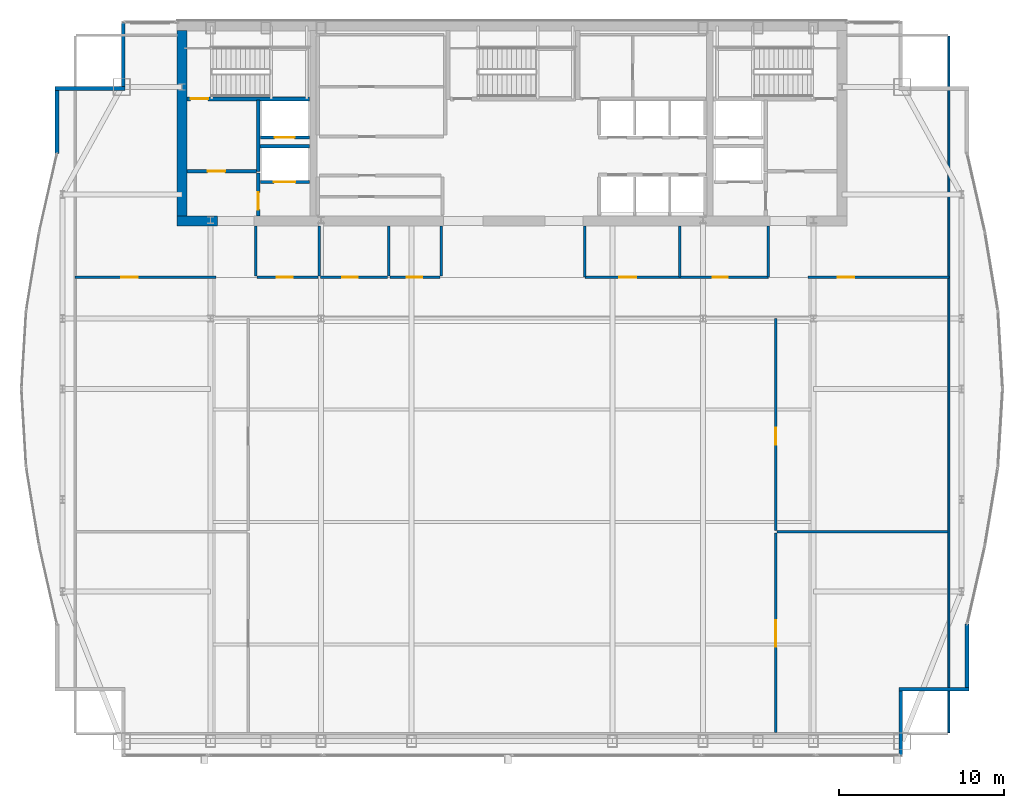
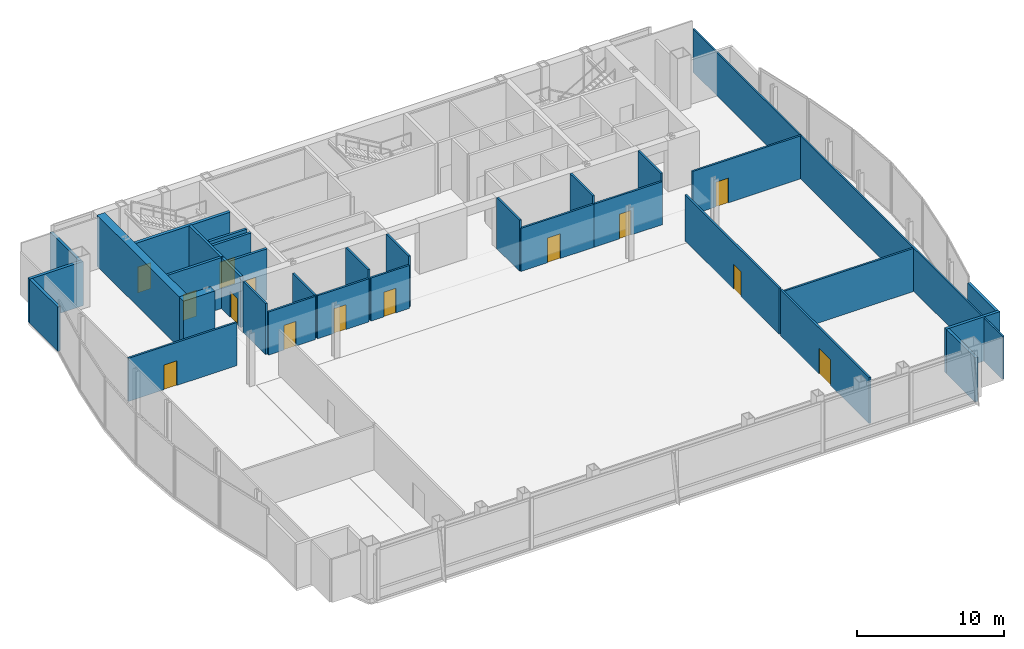
# One storey, part 24 of 28: 33 walls, 14 doors, 14 openings.
"""IFC4 building model written with IfcOpenShell, lengths in metres."""

from ifc_helpers import new_model, si_unit, direction, frame, frame_2d, origin, place, context, subcontext, project, spatial, rectangle, extrude, material, layer, layer_set, type_object, element, fill, save


model = new_model("IFC4")

# Units and contexts
model_context = context("Model", 3, precision=1e-05, world=origin(), true_north=direction((0.0, 1.0)))
body_context = subcontext(model_context, "Body", "Model", "MODEL_VIEW")
ifc_project = project(units=[si_unit("LENGTHUNIT", "METRE"), si_unit("AREAUNIT", "SQUARE_METRE"), si_unit("VOLUMEUNIT", "CUBIC_METRE"), si_unit("PLANEANGLEUNIT", "RADIAN"), si_unit("MASSUNIT", "GRAM", prefix="KILO")], contexts=[model_context])

# Site, building, storey
site_placement = place(None, origin())
site = spatial("IfcSite", under=ifc_project, at=site_placement, CompositionType="ELEMENT")
building_placement = place(site_placement, origin())
building = spatial("IfcBuilding", under=site, at=building_placement, Name="Khoronbel Lancet Exchange", CompositionType="ELEMENT")
storey_placement = place(building_placement, frame((0.0, 0.0, 265.39990234375)))
storey = spatial("IfcBuildingStorey", under=building, at=storey_placement, Name="L68", CompositionType="ELEMENT", Elevation=265.39990234375)

# Walls
ifc_material_1 = material(Name="Concrete C60/75", Category="concrete")
ifc_layer_1 = layer(ifc_material_1, 0.60009765625, Name="Concrete C60/75")
ifc_layer_set_1 = layer_set([ifc_layer_1], Name="Concrete C60/75")
wall_type_1 = type_object("IfcWallType", Name="WL-CW3", PredefinedType="SHEAR", material=ifc_layer_set_1)
wall_1_placement = place(storey_placement, frame((16.5, 41.89990234375, 0.0), z_axis=(0.0, 0.0, 1.0), x_axis=(0.0, 1.0, 0.0)))
element("IfcWall", 1, at=wall_1_placement, inside=storey, type_object=wall_type_1, Name="Level L68 rear core west shear wall", PredefinedType="SHEAR", context=body_context, shape_type="SweptSolid", body=[
    extrude(rectangle(XDim=11.2001953125, YDim=0.60009765625, at=frame_2d((5.60009765625, 0.0))), origin(), (0.0, 0.0, 1.0), 4.239990234375),
])
wall_2_placement = place(storey_placement, frame((18.64990234375, 41.60009765625, 0.0), z_axis=(0.0, 0.0, 1.0), x_axis=(-1.0, 0.0, 0.0)))
element("IfcWall", 2, at=wall_2_placement, inside=storey, type_object=wall_type_1, Name="Level L68 rear core south shear wall pier P1", PredefinedType="SHEAR", context=body_context, shape_type="SweptSolid", body=[
    extrude(rectangle(XDim=2.449951171875, YDim=0.60009765625, at=frame_2d((1.22509765625, 0.0))), origin(), (0.0, 0.0, 1.0), 4.239990234375),
])
ifc_material_2 = material(Name="Precast concrete C40/50", Category="concrete")
ifc_layer_2 = layer(ifc_material_2, 0.25, Name="Precast concrete C40/50")
ifc_layer_set_2 = layer_set([ifc_layer_2], Name="Precast concrete C40/50")
wall_type_2 = type_object("IfcWallType", Name="WL-EXT250", PredefinedType="SOLIDWALL", material=ifc_layer_set_2)
wall_3_placement = place(storey_placement, frame((8.93994140625, 45.669921875, 0.0), z_axis=(0.0, 0.0, 1.0), x_axis=(0.0, 1.0, 0.0)))
element("IfcWall", 3, at=wall_3_placement, inside=storey, type_object=wall_type_2, Name="Level L68 notched-corner limestone pier 10", PredefinedType="SOLIDWALL", context=body_context, shape_type="SweptSolid", body=[
    extrude(rectangle(XDim=3.830078125, YDim=0.219970703125, at=frame_2d((1.9150390625, 0.0))), origin(), (0.0, 0.0, 1.0), 3.68017578125),
])
wall_4_placement = place(storey_placement, frame((8.830078125, 49.610107421875, 0.0), z_axis=(0.0, 0.0, 1.0), x_axis=(1.0, 0.0, 0.0)))
element("IfcWall", 4, at=wall_4_placement, inside=storey, type_object=wall_type_2, Name="Level L68 notched-corner limestone pier 11", PredefinedType="SOLIDWALL", context=body_context, shape_type="SweptSolid", body=[
    extrude(rectangle(XDim=4.219970703125, YDim=0.219970703125, at=frame_2d((2.10986328125, 0.0))), origin(), (0.0, 0.0, 1.0), 3.68017578125),
])
wall_5_placement = place(storey_placement, frame((12.93994140625, 49.719970703125, 0.0), z_axis=(0.0, 0.0, 1.0), x_axis=(0.0, 1.0, 0.0)))
element("IfcWall", 5, at=wall_5_placement, inside=storey, type_object=wall_type_2, Name="Level L68 notched-corner limestone pier 12", PredefinedType="SOLIDWALL", context=body_context, shape_type="SweptSolid", body=[
    extrude(rectangle(XDim=3.909912109375, YDim=0.219970703125, at=frame_2d((1.955078125, 0.0))), origin(), (0.0, 0.0, 1.0), 3.68017578125),
])
wall_6_placement = place(storey_placement, frame((63.9599609375, 17.22998046875, 0.0), z_axis=(0.0, 0.0, 1.0), x_axis=(0.0, -1.0, 0.0)))
element("IfcWall", 6, at=wall_6_placement, inside=storey, type_object=wall_type_2, Name="Level L68 notched-corner limestone pier 23", PredefinedType="SOLIDWALL", context=body_context, shape_type="SweptSolid", body=[
    extrude(rectangle(XDim=3.830078125, YDim=0.219970703125, at=frame_2d((1.9150390625, 0.0))), origin(), (0.0, 0.0, 1.0), 3.68017578125),
])
wall_7_placement = place(storey_placement, frame((64.070068359375, 13.2900390625, 0.0), z_axis=(0.0, 0.0, 1.0), x_axis=(-1.0, 0.0, 0.0)))
element("IfcWall", 7, at=wall_7_placement, inside=storey, type_object=wall_type_2, Name="Level L68 notched-corner limestone pier 24", PredefinedType="SOLIDWALL", context=body_context, shape_type="SweptSolid", body=[
    extrude(rectangle(XDim=4.219970703125, YDim=0.219970703125, at=frame_2d((2.10986328125, 0.0))), origin(), (0.0, 0.0, 1.0), 3.68017578125),
])
wall_8_placement = place(storey_placement, frame((59.9599609375, 13.179931640625, 0.0), z_axis=(0.0, 0.0, 1.0), x_axis=(0.0, -1.0, 0.0)))
element("IfcWall", 8, at=wall_8_placement, inside=storey, type_object=wall_type_2, Name="Level L68 notched-corner limestone pier 25", PredefinedType="SOLIDWALL", context=body_context, shape_type="SweptSolid", body=[
    extrude(rectangle(XDim=3.909912109375, YDim=0.219970703125, at=frame_2d((1.955078125, 0.0))), origin(), (0.0, 0.0, 1.0), 3.68017578125),
])
ifc_material_3 = material(Name="Acoustic Metal-Stud & Mineral-Wool Gypsum Partition 120 mm", Category="gypsum")
ifc_layer_3 = layer(ifc_material_3, 0.1201171875, Name="Acoustic Metal-Stud & Mineral-Wool Gypsum Partition 120 mm")
ifc_layer_set_3 = layer_set([ifc_layer_3], Name="Acoustic Metal-Stud & Mineral-Wool Gypsum Partition 120 mm")
wall_type_3 = type_object("IfcWallType", Name="WL-PRT120", PredefinedType="PARTITIONING", material=ifc_layer_set_3)
wall_9_placement = place(storey_placement, frame((52.47998046875, 22.800048828125, 0.0), z_axis=(0.0, 0.0, 1.0), x_axis=(1.0, 0.0, 0.0)))
element("IfcWall", 9, at=wall_9_placement, inside=storey, type_object=wall_type_3, Name="Level L68 interior partition PW-SL-EM", PredefinedType="PARTITIONING", context=body_context, shape_type="SweptSolid", body=[
    extrude(rectangle(XDim=10.324951171875, YDim=0.14990234375, at=frame_2d((5.16259765625, 0.0))), origin(), (0.0, 0.0, 1.0), 3.580078125),
])
wall_10_placement = place(storey_placement, frame((20.949951171875, 38.280029296875, 0.0), z_axis=(0.0, 0.0, 1.0), x_axis=(0.0, 1.0, 0.0)))
element("IfcWall", 10, at=wall_10_placement, inside=storey, type_object=wall_type_3, Name="Level L68 interior partition PW-SL-WC0", PredefinedType="PARTITIONING", context=body_context, shape_type="SweptSolid", body=[
    extrude(rectangle(XDim=3.02001953125, YDim=0.14990234375, at=frame_2d((1.510009765625, 0.0))), origin(), (0.0, 0.0, 1.0), 4.239990234375),
])
wall_11_placement = place(storey_placement, frame((24.800048828125, 38.280029296875, 0.0), z_axis=(0.0, 0.0, 1.0), x_axis=(0.0, 1.0, 0.0)))
element("IfcWall", 11, at=wall_11_placement, inside=storey, type_object=wall_type_3, Name="Level L68 interior partition PW-SL-WC1", PredefinedType="PARTITIONING", context=body_context, shape_type="SweptSolid", body=[
    extrude(rectangle(XDim=3.02001953125, YDim=0.14990234375, at=frame_2d((1.510009765625, 0.0))), origin(), (0.0, 0.0, 1.0), 3.580078125),
])
for number, where, z_axis, x_axis, name in (
    (12, (29.0, 38.280029296875, 0.0), (0.0, 0.0, 1.0), (0.0, 1.0, 0.0), "Level L68 interior partition PW-SL-WC2"),
    (13, (32.179931640625, 38.280029296875, 0.0), (0.0, 0.0, 1.0), (0.0, 1.0, 0.0), "Level L68 interior partition PW-SL-WC3"),
):
    element("IfcWall", number, at=place(storey_placement, frame(where, z_axis=z_axis, x_axis=x_axis)), inside=storey, type_object=wall_type_3, Name=name, PredefinedType="PARTITIONING", context=body_context, shape_type="SweptSolid", body=[
        extrude(rectangle(XDim=3.02001953125, YDim=0.14990234375, at=frame_2d((1.510009765625, 0.0))), origin(), (0.0, 0.0, 1.0), 4.239990234375),
    ])
for number, where, z_axis, x_axis, name in (
    (14, (40.85009765625, 38.199951171875, 0.0), (0.0, 0.0, 1.0), (0.0, 1.0, 0.0), "Level L68 interior partition PW-SL-NP0"),
    (15, (46.60009765625, 38.199951171875, 0.0), (0.0, 0.0, 1.0), (0.0, 1.0, 0.0), "Level L68 interior partition PW-SL-NP"),
    (16, (51.949951171875, 38.199951171875, 0.0), (0.0, 0.0, 1.0), (0.0, 1.0, 0.0), "Level L68 interior partition PW-SL-NP1"),
):
    element("IfcWall", number, at=place(storey_placement, frame(where, z_axis=z_axis, x_axis=x_axis)), inside=storey, type_object=wall_type_3, Name=name, PredefinedType="PARTITIONING", context=body_context, shape_type="SweptSolid", body=[
        extrude(rectangle(XDim=3.10009765625, YDim=0.14990234375, at=frame_2d((1.550048828125, 0.0))), origin(), (0.0, 0.0, 1.0), 4.239990234375),
    ])
wall_12_placement = place(storey_placement, frame((62.8701171875, 10.6650390625, 0.0), z_axis=(0.0, 0.0, 1.0), x_axis=(0.0, 1.0, 0.0)))
element("IfcWall", 17, at=wall_12_placement, inside=storey, type_object=wall_type_3, Name="Level L68 interior partition PW-LIN-E", PredefinedType="PARTITIONING", context=body_context, shape_type="SweptSolid", body=[
    extrude(rectangle(XDim=42.10986328125, YDim=0.1201171875, at=frame_2d((21.054931640625, 0.0))), origin(), (0.0, 0.0, 1.0), 3.580078125),
])

# Wall, opening, door
ifc_material_4 = material(Name="Fire-Rated Twin-Stud Acoustic Gypsum Partition 150 mm", Category="gypsum")
ifc_layer_4 = layer(ifc_material_4, 0.14990234375, Name="Fire-Rated Twin-Stud Acoustic Gypsum Partition 150 mm")
ifc_layer_set_4 = layer_set([ifc_layer_4], Name="Fire-Rated Twin-Stud Acoustic Gypsum Partition 150 mm")
wall_type_4 = type_object("IfcWallType", Name="WL-PRT150C", PredefinedType="PARTITIONING", material=ifc_layer_set_4)
wall_13_placement = place(storey_placement, frame((52.39990234375, 10.6650390625, 0.0), z_axis=(0.0, 0.0, 1.0), x_axis=(0.0, 1.0, 0.0)))
wall_13 = element("IfcWall", 18, at=wall_13_placement, inside=storey, type_object=wall_type_4, Name="Level L68 interior partition PW-SL-E1", PredefinedType="PARTITIONING", context=body_context, shape_type="SweptSolid", body=[
    extrude(rectangle(XDim=12.054931640625, YDim=0.14990234375, at=frame_2d((6.02734375, 0.0))), origin(), (0.0, 0.0, 1.0), 3.830078125),
])
opening_1_placement = place(wall_13_placement, frame((5.199951171875, 0.0, 0.0)))
opening_1 = element("IfcOpeningElement", 19, at=opening_1_placement, cuts=wall_13, Name="Opening D3", PredefinedType="OPENING", context=body_context, shape_type="SweptSolid", body=[
    extrude(rectangle(XDim=1.60009765625, YDim=2.14990234375, at=frame_2d((0.800048828125, 1.074951171875))), frame((0.0, 0.0849609375, 0.0), z_axis=(0.0, -1.0, 0.0), x_axis=(1.0, 0.0, 0.0)), (0.0, 0.0, 1.0), 0.169921875),
])
ifc_material_5 = material(Name="Glazed Bronze-Framed Double Suite Door", Category="aluminium")
door_type_1 = type_object("IfcDoorType", Name="DR-D3", OperationType="NOTDEFINED", PredefinedType="DOOR", material=ifc_material_5)
door_1_placement = place(opening_1_placement, origin())
door_1 = element("IfcDoor", 20, at=door_1_placement, inside=storey, type_object=door_type_1, Name="Sky-lobby east conference salon door L68-1", OperationType="DOUBLE_DOOR_SINGLE_SWING", OverallHeight=2.14990234375, OverallWidth=1.60009765625, PredefinedType="DOOR", context=body_context, shape_type="SweptSolid", body=[
    extrude(rectangle(XDim=1.60009765625, YDim=2.14990234375, at=frame_2d((0.800048828125, 1.074951171875))), frame((0.0, 0.02490234375, 0.0), z_axis=(0.0, -1.0, 0.0), x_axis=(1.0, 0.0, 0.0)), (0.0, 0.0, 1.0), 0.050048828125),
])
fill(opening_1, door_1)

wall_14_placement = place(storey_placement, frame((52.39990234375, 22.8798828125, 0.0), z_axis=(0.0, 0.0, 1.0), x_axis=(0.0, 1.0, 0.0)))
wall_14 = element("IfcWall", 21, at=wall_14_placement, inside=storey, type_object=wall_type_4, Name="Level L68 interior partition PW-SL-E2", PredefinedType="PARTITIONING", context=body_context, shape_type="SweptSolid", body=[
    extrude(rectangle(XDim=12.820068359375, YDim=0.14990234375, at=frame_2d((6.41015625, 0.0))), origin(), (0.0, 0.0, 1.0), 3.830078125),
])
opening_2_placement = place(wall_14_placement, frame((5.199951171875, 0.0, 0.0)))
opening_2 = element("IfcOpeningElement", 22, at=opening_2_placement, cuts=wall_14, Name="Opening D2", PredefinedType="OPENING", context=body_context, shape_type="SweptSolid", body=[
    extrude(rectangle(XDim=1.0, YDim=2.050048828125, at=frame_2d((0.5, 1.02490234375))), frame((0.0, 0.0849609375, 0.0), z_axis=(0.0, -1.0, 0.0), x_axis=(1.0, 0.0, 0.0)), (0.0, 0.0, 1.0), 0.169921875),
])
ifc_material_6 = material(Name="Acoustic Veneered Timber & Bronze Frame Door", Category="wood")
door_type_2 = type_object("IfcDoorType", Name="DR-D2", OperationType="NOTDEFINED", PredefinedType="DOOR", material=ifc_material_6)
door_2_placement = place(opening_2_placement, origin())
door_2 = element("IfcDoor", 23, at=door_2_placement, inside=storey, type_object=door_type_2, Name="Sky-lobby espresso bar door L68-1", OperationType="SINGLE_SWING_LEFT", OverallHeight=2.050048828125, OverallWidth=1.0, PredefinedType="DOOR", context=body_context, shape_type="SweptSolid", body=[
    extrude(rectangle(XDim=1.0, YDim=2.050048828125, at=frame_2d((0.5, 1.02490234375))), frame((0.0, 0.02490234375, 0.0), z_axis=(0.0, -1.0, 0.0), x_axis=(1.0, 0.0, 0.0)), (0.0, 0.0, 1.0), 0.050048828125),
])
fill(opening_2, door_2)

wall_15_placement = place(storey_placement, frame((21.030029296875, 38.199951171875, 0.0), z_axis=(0.0, 0.0, 1.0), x_axis=(1.0, 0.0, 0.0)))
wall_15 = element("IfcWall", 24, at=wall_15_placement, inside=storey, type_object=wall_type_4, Name="Level L68 interior partition PW-SL-WCS1", PredefinedType="PARTITIONING", context=body_context, shape_type="SweptSolid", body=[
    extrude(rectangle(XDim=3.68994140625, YDim=0.14990234375, at=frame_2d((1.844970703125, 0.0))), origin(), (0.0, 0.0, 1.0), 3.580078125),
])
opening_3_placement = place(wall_15_placement, frame((1.199951171875, 0.0, 0.0)))
opening_3 = element("IfcOpeningElement", 25, at=opening_3_placement, cuts=wall_15, Name="Opening FD5", PredefinedType="OPENING", context=body_context, shape_type="SweptSolid", body=[
    extrude(rectangle(XDim=0.949951171875, YDim=2.050048828125, at=frame_2d((0.47509765625, 1.02490234375))), frame((0.0, 0.0849609375, 0.0), z_axis=(0.0, -1.0, 0.0), x_axis=(1.0, 0.0, 0.0)), (0.0, 0.0, 1.0), 0.169921875),
])
ifc_material_7 = material(Name="Fire-Rated Moisture-Resistant Lobby Washroom Door", Category="wood")
door_type_3 = type_object("IfcDoorType", Name="DR-FD5", OperationType="NOTDEFINED", PredefinedType="DOOR", material=ifc_material_7)
door_3_placement = place(opening_3_placement, origin())
door_3 = element("IfcDoor", 26, at=door_3_placement, inside=storey, type_object=door_type_3, Name="Sky-lobby male WC door L68-1", OperationType="SINGLE_SWING_RIGHT", OverallHeight=2.050048828125, OverallWidth=0.949951171875, PredefinedType="DOOR", context=body_context, shape_type="SweptSolid", body=[
    extrude(rectangle(XDim=0.949951171875, YDim=2.050048828125, at=frame_2d((0.47509765625, 1.02490234375))), frame((0.0, 0.02490234375, 0.0), z_axis=(0.0, -1.0, 0.0), x_axis=(1.0, 0.0, 0.0)), (0.0, 0.0, 1.0), 0.050048828125),
])
fill(opening_3, door_3)

wall_16_placement = place(storey_placement, frame((24.8798828125, 38.199951171875, 0.0), z_axis=(0.0, 0.0, 1.0), x_axis=(1.0, 0.0, 0.0)))
wall_16 = element("IfcWall", 27, at=wall_16_placement, inside=storey, type_object=wall_type_4, Name="Level L68 interior partition PW-SL-WCS2", PredefinedType="PARTITIONING", context=body_context, shape_type="SweptSolid", body=[
    extrude(rectangle(XDim=4.0400390625, YDim=0.14990234375, at=frame_2d((2.02001953125, 0.0))), origin(), (0.0, 0.0, 1.0), 3.580078125),
])
opening_4_placement = place(wall_16_placement, frame((1.300048828125, 0.0, 0.0)))
opening_4 = element("IfcOpeningElement", 28, at=opening_4_placement, cuts=wall_16, Name="Opening FD5", PredefinedType="OPENING", context=body_context, shape_type="SweptSolid", body=[
    extrude(rectangle(XDim=0.949951171875, YDim=2.050048828125, at=frame_2d((0.47509765625, 1.02490234375))), frame((0.0, 0.0849609375, 0.0), z_axis=(0.0, -1.0, 0.0), x_axis=(1.0, 0.0, 0.0)), (0.0, 0.0, 1.0), 0.169921875),
])
door_4_placement = place(opening_4_placement, origin())
door_4 = element("IfcDoor", 29, at=door_4_placement, inside=storey, type_object=door_type_3, Name="Sky-lobby female WC door L68-1", OperationType="SINGLE_SWING_LEFT", OverallHeight=2.050048828125, OverallWidth=0.949951171875, PredefinedType="DOOR", context=body_context, shape_type="SweptSolid", body=[
    extrude(rectangle(XDim=0.949951171875, YDim=2.050048828125, at=frame_2d((0.47509765625, 1.02490234375))), frame((0.0, 0.02490234375, 0.0), z_axis=(0.0, -1.0, 0.0), x_axis=(1.0, 0.0, 0.0)), (0.0, 0.0, 1.0), 0.050048828125),
])
fill(opening_4, door_4)

wall_17_placement = place(storey_placement, frame((29.080078125, 38.199951171875, 0.0), z_axis=(0.0, 0.0, 1.0), x_axis=(1.0, 0.0, 0.0)))
wall_17 = element("IfcWall", 30, at=wall_17_placement, inside=storey, type_object=wall_type_4, Name="Level L68 interior partition PW-SL-WCS3", PredefinedType="PARTITIONING", context=body_context, shape_type="SweptSolid", body=[
    extrude(rectangle(XDim=3.02001953125, YDim=0.14990234375, at=frame_2d((1.510009765625, 0.0))), origin(), (0.0, 0.0, 1.0), 3.580078125),
])
opening_5_placement = place(wall_17_placement, frame((1.0, 0.0, 0.0)))
opening_5 = element("IfcOpeningElement", 31, at=opening_5_placement, cuts=wall_17, Name="Opening FD5", PredefinedType="OPENING", context=body_context, shape_type="SweptSolid", body=[
    extrude(rectangle(XDim=0.949951171875, YDim=2.050048828125, at=frame_2d((0.47509765625, 1.02490234375))), frame((0.0, 0.0849609375, 0.0), z_axis=(0.0, -1.0, 0.0), x_axis=(1.0, 0.0, 0.0)), (0.0, 0.0, 1.0), 0.169921875),
])
door_5_placement = place(opening_5_placement, origin())
door_5 = element("IfcDoor", 32, at=door_5_placement, inside=storey, type_object=door_type_3, Name="Sky-lobby accessible WC door L68-1", OperationType="SINGLE_SWING_RIGHT", OverallHeight=2.050048828125, OverallWidth=0.949951171875, PredefinedType="DOOR", context=body_context, shape_type="SweptSolid", body=[
    extrude(rectangle(XDim=0.949951171875, YDim=2.050048828125, at=frame_2d((0.47509765625, 1.02490234375))), frame((0.0, 0.02490234375, 0.0), z_axis=(0.0, -1.0, 0.0), x_axis=(1.0, 0.0, 0.0)), (0.0, 0.0, 1.0), 0.050048828125),
])
fill(opening_5, door_5)

wall_18_placement = place(storey_placement, frame((40.85009765625, 38.199951171875, 0.0), z_axis=(0.0, 0.0, 1.0), x_axis=(1.0, 0.0, 0.0)))
wall_18 = element("IfcWall", 33, at=wall_18_placement, inside=storey, type_object=wall_type_4, Name="Level L68 interior partition PW-SL-NPS1", PredefinedType="PARTITIONING", context=body_context, shape_type="SweptSolid", body=[
    extrude(rectangle(XDim=5.75, YDim=0.14990234375, at=frame_2d((2.875, 0.0))), origin(), (0.0, 0.0, 1.0), 3.580078125),
])
opening_6_placement = place(wall_18_placement, frame((2.10009765625, 0.0, 0.0)))
opening_6 = element("IfcOpeningElement", 34, at=opening_6_placement, cuts=wall_18, Name="Opening D2", PredefinedType="OPENING", context=body_context, shape_type="SweptSolid", body=[
    extrude(rectangle(XDim=1.0, YDim=2.050048828125, at=frame_2d((0.5, 1.02490234375))), frame((0.0, 0.0849609375, 0.0), z_axis=(0.0, -1.0, 0.0), x_axis=(1.0, 0.0, 0.0)), (0.0, 0.0, 1.0), 0.169921875),
])
door_6_placement = place(opening_6_placement, origin())
door_6 = element("IfcDoor", 35, at=door_6_placement, inside=storey, type_object=door_type_2, Name="Sky-lobby concierge office door L68-1", OperationType="SINGLE_SWING_LEFT", OverallHeight=2.050048828125, OverallWidth=1.0, PredefinedType="DOOR", context=body_context, shape_type="SweptSolid", body=[
    extrude(rectangle(XDim=1.0, YDim=2.050048828125, at=frame_2d((0.5, 1.02490234375))), frame((0.0, 0.02490234375, 0.0), z_axis=(0.0, -1.0, 0.0), x_axis=(1.0, 0.0, 0.0)), (0.0, 0.0, 1.0), 0.050048828125),
])
fill(opening_6, door_6)

wall_19_placement = place(storey_placement, frame((46.60009765625, 38.199951171875, 0.0), z_axis=(0.0, 0.0, 1.0), x_axis=(1.0, 0.0, 0.0)))
wall_19 = element("IfcWall", 36, at=wall_19_placement, inside=storey, type_object=wall_type_4, Name="Level L68 interior partition PW-SL-NPS2", PredefinedType="PARTITIONING", context=body_context, shape_type="SweptSolid", body=[
    extrude(rectangle(XDim=5.349853515625, YDim=0.14990234375, at=frame_2d((2.6748046875, 0.0))), origin(), (0.0, 0.0, 1.0), 3.580078125),
])
opening_7_placement = place(wall_19_placement, frame((2.0, 0.0, 0.0)))
opening_7 = element("IfcOpeningElement", 37, at=opening_7_placement, cuts=wall_19, Name="Opening FD4", PredefinedType="OPENING", context=body_context, shape_type="SweptSolid", body=[
    extrude(rectangle(XDim=0.89990234375, YDim=2.050048828125, at=frame_2d((0.449951171875, 1.02490234375))), frame((0.0, 0.0849609375, 0.0), z_axis=(0.0, -1.0, 0.0), x_axis=(1.0, 0.0, 0.0)), (0.0, 0.0, 1.0), 0.169921875),
])
ifc_material_8 = material(Name="Fire-Rated Steel Core Support Door Assembly", Category="steel")
door_type_4 = type_object("IfcDoorType", Name="DR-FD4", OperationType="NOTDEFINED", PredefinedType="DOOR", material=ifc_material_8)
door_7_placement = place(opening_7_placement, origin())
door_7 = element("IfcDoor", 38, at=door_7_placement, inside=storey, type_object=door_type_4, Name="Sky-lobby catering kitchen door L68-1", OperationType="SINGLE_SWING_RIGHT", OverallHeight=2.050048828125, OverallWidth=0.89990234375, PredefinedType="DOOR", context=body_context, shape_type="SweptSolid", body=[
    extrude(rectangle(XDim=0.89990234375, YDim=2.050048828125, at=frame_2d((0.449951171875, 1.02490234375))), frame((0.0, 0.02490234375, 0.0), z_axis=(0.0, -1.0, 0.0), x_axis=(1.0, 0.0, 0.0)), (0.0, 0.0, 1.0), 0.050048828125),
])
fill(opening_7, door_7)

wall_20_placement = place(storey_placement, frame((10.030029296875, 38.199951171875, 0.0), z_axis=(0.0, 0.0, 1.0), x_axis=(1.0, 0.0, 0.0)))
wall_20 = element("IfcWall", 39, at=wall_20_placement, inside=storey, type_object=wall_type_4, Name="Level L68 interior partition PW-SL-N3", PredefinedType="PARTITIONING", context=body_context, shape_type="SweptSolid", body=[
    extrude(rectangle(XDim=8.52001953125, YDim=0.14990234375, at=frame_2d((4.260009765625, 0.0))), origin(), (0.0, 0.0, 1.0), 3.580078125),
])
opening_8_placement = place(wall_20_placement, frame((2.800048828125, 0.0, 0.0)))
opening_8 = element("IfcOpeningElement", 40, at=opening_8_placement, cuts=wall_20, Name="Opening D2", PredefinedType="OPENING", context=body_context, shape_type="SweptSolid", body=[
    extrude(rectangle(XDim=1.0, YDim=2.050048828125, at=frame_2d((0.5, 1.02490234375))), frame((0.0, 0.0849609375, 0.0), z_axis=(0.0, -1.0, 0.0), x_axis=(1.0, 0.0, 0.0)), (0.0, 0.0, 1.0), 0.169921875),
])
door_8_placement = place(opening_8_placement, origin())
door_8 = element("IfcDoor", 41, at=door_8_placement, inside=storey, type_object=door_type_2, Name="NW briefing room door L68-1", OperationType="SINGLE_SWING_LEFT", OverallHeight=2.050048828125, OverallWidth=1.0, PredefinedType="DOOR", context=body_context, shape_type="SweptSolid", body=[
    extrude(rectangle(XDim=1.0, YDim=2.050048828125, at=frame_2d((0.5, 1.02490234375))), frame((0.0, 0.02490234375, 0.0), z_axis=(0.0, -1.0, 0.0), x_axis=(1.0, 0.0, 0.0)), (0.0, 0.0, 1.0), 0.050048828125),
])
fill(opening_8, door_8)

wall_21_placement = place(storey_placement, frame((54.35009765625, 38.199951171875, 0.0), z_axis=(0.0, 0.0, 1.0), x_axis=(1.0, 0.0, 0.0)))
wall_21 = element("IfcWall", 42, at=wall_21_placement, inside=storey, type_object=wall_type_4, Name="Level L68 interior partition PW-SL-N4", PredefinedType="PARTITIONING", context=body_context, shape_type="SweptSolid", body=[
    extrude(rectangle(XDim=8.52001953125, YDim=0.14990234375, at=frame_2d((4.260009765625, 0.0))), origin(), (0.0, 0.0, 1.0), 3.580078125),
])
opening_9_placement = place(wall_21_placement, frame((1.800048828125, 0.0, 0.0)))
opening_9 = element("IfcOpeningElement", 43, at=opening_9_placement, cuts=wall_21, Name="Opening D2", PredefinedType="OPENING", context=body_context, shape_type="SweptSolid", body=[
    extrude(rectangle(XDim=1.0, YDim=2.050048828125, at=frame_2d((0.5, 1.02490234375))), frame((0.0, 0.0849609375, 0.0), z_axis=(0.0, -1.0, 0.0), x_axis=(1.0, 0.0, 0.0)), (0.0, 0.0, 1.0), 0.169921875),
])
door_9_placement = place(opening_9_placement, origin())
door_9 = element("IfcDoor", 44, at=door_9_placement, inside=storey, type_object=door_type_2, Name="NE VIP reception door L68-1", OperationType="SINGLE_SWING_RIGHT", OverallHeight=2.050048828125, OverallWidth=1.0, PredefinedType="DOOR", context=body_context, shape_type="SweptSolid", body=[
    extrude(rectangle(XDim=1.0, YDim=2.050048828125, at=frame_2d((0.5, 1.02490234375))), frame((0.0, 0.02490234375, 0.0), z_axis=(0.0, -1.0, 0.0), x_axis=(1.0, 0.0, 0.0)), (0.0, 0.0, 1.0), 0.050048828125),
])
fill(opening_9, door_9)

ifc_material_9 = material(Name="Autoclaved Aerated Concrete Blockwork 200 mm", Category="masonry")
ifc_layer_5 = layer(ifc_material_9, 0.199951171875, Name="Autoclaved Aerated Concrete Blockwork 200 mm")
ifc_layer_set_5 = layer_set([ifc_layer_5], Name="Autoclaved Aerated Concrete Blockwork 200 mm")
wall_type_5 = type_object("IfcWallType", Name="WL-PRT200", PredefinedType="PARTITIONING", material=ifc_layer_set_5)
wall_22_placement = place(storey_placement, frame((24.2099609375, 43.949951171875, 0.0), z_axis=(0.0, 0.0, 1.0), x_axis=(-1.0, 0.0, 0.0)))
wall_22 = element("IfcWall", 45, at=wall_22_placement, inside=storey, type_object=wall_type_5, Name="Level L68 elevator hoistway landing front wall SVLW", PredefinedType="PARTITIONING", context=body_context, shape_type="SweptSolid", body=[
    extrude(rectangle(XDim=2.969970703125, YDim=0.199951171875, at=frame_2d((1.48486328125, 0.0))), origin(), (0.0, 0.0, 1.0), 4.239990234375),
])
opening_10_placement = place(wall_22_placement, frame((0.860107421875, 0.0, 0.0)))
opening_10 = element("IfcOpeningElement", 46, at=opening_10_placement, cuts=wall_22, Name="Opening LD-SVL1", PredefinedType="OPENING", context=body_context, shape_type="SweptSolid", body=[
    extrude(rectangle(XDim=1.300048828125, YDim=2.179931640625, at=frame_2d((0.64990234375, 1.08984375))), frame((0.0, 0.10986328125, 0.0), z_axis=(0.0, -1.0, 0.0), x_axis=(1.0, 0.0, 0.0)), (0.0, 0.0, 1.0), 0.219970703125),
])
ifc_material_10 = material(Name="Heavy-Duty Bi-Parting Goods Lift Landing Door", Category="steel")
door_type_5 = type_object("IfcDoorType", Name="DR-LD-SVL", OperationType="NOTDEFINED", PredefinedType="DOOR", material=ifc_material_10)
door_10_placement = place(opening_10_placement, origin())
door_10 = element("IfcDoor", 47, at=door_10_placement, inside=storey, type_object=door_type_5, Name="Elevator landing sliding door LD-SVL1 L68", OperationType="SLIDING_TO_LEFT", OverallHeight=2.179931640625, OverallWidth=1.300048828125, PredefinedType="DOOR", context=body_context, shape_type="SweptSolid", body=[
    extrude(rectangle(XDim=1.300048828125, YDim=2.179931640625, at=frame_2d((0.64990234375, 1.08984375))), frame((0.0, 0.02490234375, 0.0), z_axis=(0.0, -1.0, 0.0), x_axis=(1.0, 0.0, 0.0)), (0.0, 0.0, 1.0), 0.050048828125),
])
fill(opening_10, door_10)

wall_23_placement = place(storey_placement, frame((24.2099609375, 46.64990234375, 0.0), z_axis=(0.0, 0.0, 1.0), x_axis=(-1.0, 0.0, 0.0)))
wall_23 = element("IfcWall", 48, at=wall_23_placement, inside=storey, type_object=wall_type_5, Name="Level L68 elevator hoistway landing front wall FFLW", PredefinedType="PARTITIONING", context=body_context, shape_type="SweptSolid", body=[
    extrude(rectangle(XDim=2.969970703125, YDim=0.199951171875, at=frame_2d((1.48486328125, 0.0))), origin(), (0.0, 0.0, 1.0), 4.239990234375),
])
opening_11_placement = place(wall_23_placement, frame((0.909912109375, 0.0, 0.0)))
opening_11 = element("IfcOpeningElement", 49, at=opening_11_placement, cuts=wall_23, Name="Opening LD-FFL1", PredefinedType="OPENING", context=body_context, shape_type="SweptSolid", body=[
    extrude(rectangle(XDim=1.199951171875, YDim=2.179931640625, at=frame_2d((0.60009765625, 1.08984375))), frame((0.0, 0.10986328125, 0.0), z_axis=(0.0, -1.0, 0.0), x_axis=(1.0, 0.0, 0.0)), (0.0, 0.0, 1.0), 0.219970703125),
])
ifc_material_11 = material(Name="Fire-Rated Stainless Bi-Parting Firefighting Lift Door", Category="steel")
door_type_6 = type_object("IfcDoorType", Name="DR-LD-FFL", OperationType="NOTDEFINED", PredefinedType="DOOR", material=ifc_material_11)
door_11_placement = place(opening_11_placement, origin())
door_11 = element("IfcDoor", 50, at=door_11_placement, inside=storey, type_object=door_type_6, Name="Elevator landing sliding door LD-FFL1 L68", OperationType="SLIDING_TO_LEFT", OverallHeight=2.179931640625, OverallWidth=1.199951171875, PredefinedType="DOOR", context=body_context, shape_type="SweptSolid", body=[
    extrude(rectangle(XDim=1.199951171875, YDim=2.179931640625, at=frame_2d((0.60009765625, 1.08984375))), frame((0.0, 0.02490234375, 0.0), z_axis=(0.0, -1.0, 0.0), x_axis=(1.0, 0.0, 0.0)), (0.0, 0.0, 1.0), 0.050048828125),
])
fill(opening_11, door_11)

# Wall
wall_24_placement = place(storey_placement, frame((21.10009765625, 44.60009765625, 0.0), z_axis=(0.0, 0.0, 1.0), x_axis=(0.0, 1.0, 0.0)))
element("IfcWall", 51, at=wall_24_placement, inside=storey, type_object=wall_type_5, Name="Level L68 interior partition CW-FFLW-E", PredefinedType="PARTITIONING", context=body_context, shape_type="SweptSolid", body=[
    extrude(rectangle(XDim=4.2998046875, YDim=0.199951171875, at=frame_2d((2.14990234375, 0.0))), origin(), (0.0, 0.0, 1.0), 4.239990234375),
])

# Wall, opening, door
wall_25_placement = place(storey_placement, frame((16.800048828125, 44.60009765625, 0.0), z_axis=(0.0, 0.0, 1.0), x_axis=(1.0, 0.0, 0.0)))
wall_25 = element("IfcWall", 52, at=wall_25_placement, inside=storey, type_object=wall_type_5, Name="Level L68 interior partition CW-FFLW-S", PredefinedType="PARTITIONING", context=body_context, shape_type="SweptSolid", body=[
    extrude(rectangle(XDim=4.199951171875, YDim=0.199951171875, at=frame_2d((2.10009765625, 0.0))), origin(), (0.0, 0.0, 1.0), 4.239990234375),
])
opening_12_placement = place(wall_25_placement, frame((1.25, 0.0, 0.0)))
opening_12 = element("IfcOpeningElement", 53, at=opening_12_placement, cuts=wall_25, Name="Opening FD1", PredefinedType="OPENING", context=body_context, shape_type="SweptSolid", body=[
    extrude(rectangle(XDim=1.050048828125, YDim=2.14990234375, at=frame_2d((0.52490234375, 1.074951171875))), frame((0.0, 0.10986328125, 0.0), z_axis=(0.0, -1.0, 0.0), x_axis=(1.0, 0.0, 0.0)), (0.0, 0.0, 1.0), 0.219970703125),
])
ifc_material_12 = material(Name="Fire-Rated Painted Steel Door Assembly", Category="steel")
door_type_7 = type_object("IfcDoorType", Name="DR-FD1", OperationType="NOTDEFINED", PredefinedType="DOOR", material=ifc_material_12)
door_12_placement = place(opening_12_placement, origin())
door_12 = element("IfcDoor", 54, at=door_12_placement, inside=storey, type_object=door_type_7, Name="West firefighting lobby FD90S door L68-1", OperationType="SINGLE_SWING_RIGHT", OverallHeight=2.14990234375, OverallWidth=1.050048828125, PredefinedType="DOOR", context=body_context, shape_type="SweptSolid", body=[
    extrude(rectangle(XDim=1.050048828125, YDim=2.14990234375, at=frame_2d((0.52490234375, 1.074951171875))), frame((0.0, 0.02490234375, 0.0), z_axis=(0.0, -1.0, 0.0), x_axis=(1.0, 0.0, 0.0)), (0.0, 0.0, 1.0), 0.050048828125),
])
fill(opening_12, door_12)

# Wall
wall_26_placement = place(storey_placement, frame((21.199951171875, 46.1201171875, 0.0), z_axis=(0.0, 0.0, 1.0), x_axis=(1.0, 0.0, 0.0)))
element("IfcWall", 55, at=wall_26_placement, inside=storey, type_object=wall_type_5, Name="Level L68 interior partition CW-FFL1-S", PredefinedType="PARTITIONING", context=body_context, shape_type="SweptSolid", body=[
    extrude(rectangle(XDim=3.02001953125, YDim=0.199951171875, at=frame_2d((1.510009765625, 0.0))), origin(), (0.0, 0.0, 1.0), 4.239990234375),
])

# Wall, opening, door
wall_27_placement = place(storey_placement, frame((21.10009765625, 41.89990234375, 0.0), z_axis=(0.0, 0.0, 1.0), x_axis=(0.0, 1.0, 0.0)))
wall_27 = element("IfcWall", 56, at=wall_27_placement, inside=storey, type_object=wall_type_5, Name="Level L68 interior partition CW-SVLW-W", PredefinedType="PARTITIONING", context=body_context, shape_type="SweptSolid", body=[
    extrude(rectangle(XDim=2.59521484375, YDim=0.199951171875, at=frame_2d((1.297607421875, 0.0))), origin(), (0.0, 0.0, 1.0), 4.239990234375),
])
opening_13_placement = place(wall_27_placement, frame((0.3798828125, 0.0, 0.0)))
opening_13 = element("IfcOpeningElement", 57, at=opening_13_placement, cuts=wall_27, Name="Opening FD1", PredefinedType="OPENING", context=body_context, shape_type="SweptSolid", body=[
    extrude(rectangle(XDim=1.050048828125, YDim=2.14990234375, at=frame_2d((0.52490234375, 1.074951171875))), frame((0.0, 0.10986328125, 0.0), z_axis=(0.0, -1.0, 0.0), x_axis=(1.0, 0.0, 0.0)), (0.0, 0.0, 1.0), 0.219970703125),
])
door_13_placement = place(opening_13_placement, origin())
door_13 = element("IfcDoor", 58, at=door_13_placement, inside=storey, type_object=door_type_7, Name="West service lift lobby door L68-1", OperationType="SINGLE_SWING_LEFT", OverallHeight=2.14990234375, OverallWidth=1.050048828125, PredefinedType="DOOR", context=body_context, shape_type="SweptSolid", body=[
    extrude(rectangle(XDim=1.050048828125, YDim=2.14990234375, at=frame_2d((0.52490234375, 1.074951171875))), frame((0.0, 0.02490234375, 0.0), z_axis=(0.0, -1.0, 0.0), x_axis=(1.0, 0.0, 0.0)), (0.0, 0.0, 1.0), 0.050048828125),
])
fill(opening_13, door_13)

ifc_layer_6 = layer(ifc_material_1, 0.260009765625, Name="Concrete C60/75")
ifc_layer_set_6 = layer_set([ifc_layer_6], Name="Concrete C60/75")
wall_type_6 = type_object("IfcWallType", Name="WL-SW3", PredefinedType="SHEAR", material=ifc_layer_set_6)
wall_28_placement = place(storey_placement, frame((16.800048828125, 48.97998046875, 0.0), z_axis=(0.0, 0.0, 1.0), x_axis=(1.0, 0.0, 0.0)))
wall_28 = element("IfcWall", 59, at=wall_28_placement, inside=storey, type_object=wall_type_6, Name="Level L68 west stairwell structural south wall", PredefinedType="SHEAR", context=body_context, shape_type="SweptSolid", body=[
    extrude(rectangle(XDim=7.419921875, YDim=0.239990234375, at=frame_2d((3.7099609375, 0.0))), origin(), (0.0, 0.0, 1.0), 4.239990234375),
])
opening_14_placement = place(wall_28_placement, frame((0.219970703125, 0.0, 0.0)))
opening_14 = element("IfcOpeningElement", 60, at=opening_14_placement, cuts=wall_28, Name="Opening SD1", PredefinedType="OPENING", context=body_context, shape_type="SweptSolid", body=[
    extrude(rectangle(XDim=1.050048828125, YDim=2.14990234375, at=frame_2d((0.52490234375, 1.074951171875))), frame((0.0, 0.1298828125, 0.0), z_axis=(0.0, -1.0, 0.0), x_axis=(1.0, 0.0, 0.0)), (0.0, 0.0, 1.0), 0.260009765625),
])
ifc_material_13 = material(Name="Fire-Rated Steel Stairwell Door Assembly", Category="steel")
door_type_8 = type_object("IfcDoorType", Name="DR-SD1", OperationType="NOTDEFINED", PredefinedType="DOOR", material=ifc_material_13)
door_14_placement = place(opening_14_placement, origin())
door_14 = element("IfcDoor", 61, at=door_14_placement, inside=storey, type_object=door_type_8, Name="Protected exit stair ST1 door L68", OperationType="SINGLE_SWING_LEFT", OverallHeight=2.14990234375, OverallWidth=1.050048828125, PredefinedType="DOOR", context=body_context, shape_type="SweptSolid", body=[
    extrude(rectangle(XDim=1.050048828125, YDim=2.14990234375, at=frame_2d((0.52490234375, 1.074951171875))), frame((0.0, 0.02490234375, 0.0), z_axis=(0.0, -1.0, 0.0), x_axis=(1.0, 0.0, 0.0)), (0.0, 0.0, 1.0), 0.050048828125),
])
fill(opening_14, door_14)

save(model, "model.ifc")
